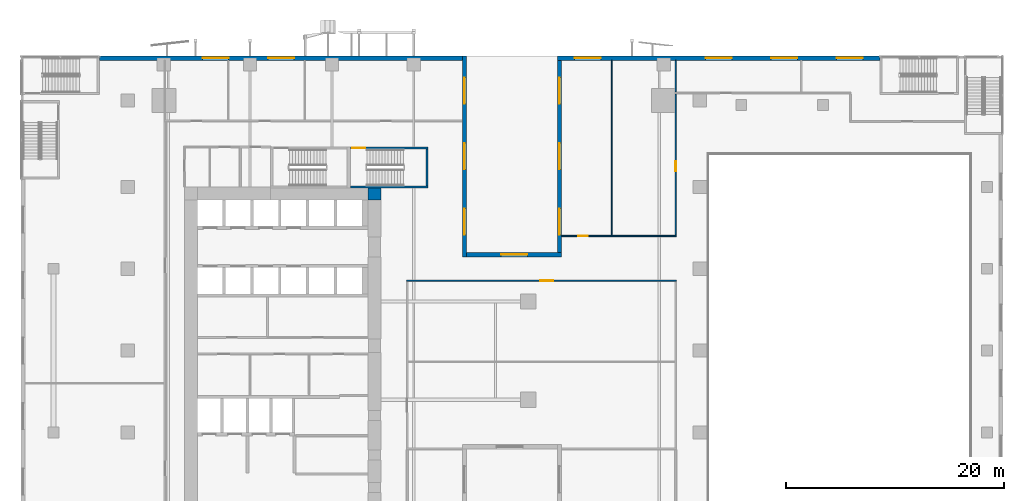
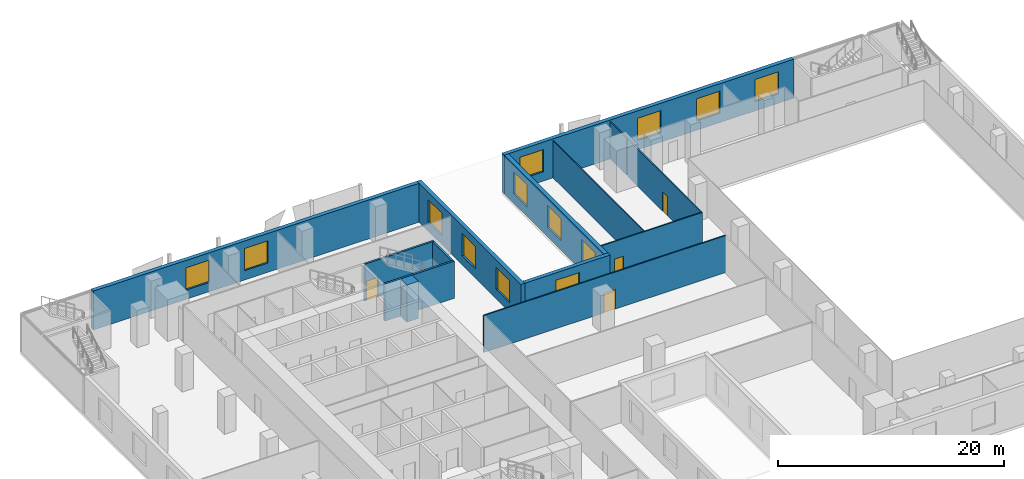
# One storey, part 13 of 21: 14 walls, 13 windows, 4 doors, 17 openings.
"""IFC4 building model written with IfcOpenShell, lengths in metres."""

from ifc_helpers import new_model, si_unit, direction, frame, frame_2d, origin, place, context, subcontext, project, spatial, rectangle, extrude, source, transform, mapped, material, layer, layer_set, type_object, element, fill, save


model = new_model("IFC4")

# Units and contexts
model_context = context("Model", 3, precision=1e-05, world=origin(), true_north=direction((0.0, 1.0)))
body_context = subcontext(model_context, "Body", "Model", "MODEL_VIEW")
ifc_project = project(units=[si_unit("LENGTHUNIT", "METRE"), si_unit("AREAUNIT", "SQUARE_METRE"), si_unit("VOLUMEUNIT", "CUBIC_METRE"), si_unit("PLANEANGLEUNIT", "RADIAN"), si_unit("MASSUNIT", "GRAM", prefix="KILO")], contexts=[model_context])

# Site, building, storey
site_placement = place(None, origin())
site = spatial("IfcSite", under=ifc_project, at=site_placement, CompositionType="ELEMENT")
building_placement = place(site_placement, origin())
building = spatial("IfcBuilding", under=site, at=building_placement, Name="Khomas Fold Tower", CompositionType="ELEMENT")
storey_placement = place(building_placement, frame((0.0, 0.0, 28.5)))
storey = spatial("IfcBuildingStorey", under=building, at=storey_placement, Name="L05", CompositionType="ELEMENT", Elevation=28.5)

# Wall
ifc_material_1 = material(Name="Concrete C70/85", Category="concrete")
ifc_layer_1 = layer(ifc_material_1, 1.10009765625)
ifc_layer_set_1 = layer_set([ifc_layer_1], Name="Concrete C70/85")
wall_type_1 = type_object("IfcWallType", Name="Core corner wall 1100", PredefinedType="SHEAR", material=ifc_layer_set_1)
shared_shape_1 = source(origin(), body_context, "Body", "SweptSolid", [
    extrude(rectangle(XDim=1.199951171875, YDim=1.10009765625, at=frame_2d((0.60009765625, 0.0))), origin(), (0.0, 0.0, 1.0), 4.0),
])
wall_1_placement = place(storey_placement, frame((22.800048828125, 41.35009765625, 0.0), z_axis=(0.0, 0.0, 1.0), x_axis=(1.0, 0.0, 0.0)))
element("IfcWall", 1, at=wall_1_placement, inside=storey, type_object=wall_type_1, Name="Core wall CW-L-NE-B2", PredefinedType="SHEAR", context=body_context, shape_type="MappedRepresentation", body=[
    mapped(shared_shape_1, transform((0.0, 0.0, 0.0))),
])

# Wall, opening, door
ifc_material_2 = material(Name="Concrete C50/60", Category="concrete")
ifc_layer_2 = layer(ifc_material_2, 0.199951171875)
ifc_layer_set_2 = layer_set([ifc_layer_2], Name="Concrete C50/60")
wall_type_2 = type_object("IfcWallType", Name="Stair wall 200", PredefinedType="SHEAR", material=ifc_layer_set_2)
shared_shape_2 = source(origin(), body_context, "Body", "SweptSolid", [
    extrude(rectangle(XDim=7.10009765625, YDim=0.199951171875, at=frame_2d((3.550048828125, 0.0))), origin(), (0.0, 0.0, 1.0), 4.0),
])
wall_2_placement = place(storey_placement, frame((21.199951171875, 45.550048828125, 0.0), z_axis=(0.0, 0.0, 1.0), x_axis=(1.0, 0.0, 0.0)))
wall_2 = element("IfcWall", 2, at=wall_2_placement, inside=storey, type_object=wall_type_2, Name="Stair wall SW-ST3-N", PredefinedType="SHEAR", context=body_context, shape_type="MappedRepresentation", body=[
    mapped(shared_shape_2, transform((0.0, 0.0, 0.0))),
])
shared_shape_3 = source(origin(), body_context, "Body", "SweptSolid", [
    extrude(rectangle(XDim=1.199951171875, YDim=2.10009765625, at=frame_2d((0.60009765625, 1.050048828125))), frame((0.0, 0.10986328125, 0.0), z_axis=(0.0, -1.0, 0.0), x_axis=(1.0, 0.0, 0.0)), (0.0, 0.0, 1.0), 0.219970703125),
])
opening_1_placement = place(wall_2_placement, frame((0.14990234375, 0.0, 0.0)))
opening_1 = element("IfcOpeningElement", 3, at=opening_1_placement, cuts=wall_2, Name="Opening SD-ST3", PredefinedType="OPENING", context=body_context, shape_type="MappedRepresentation", body=[
    mapped(shared_shape_3, transform((0.0, 0.0, 0.0))),
])
ifc_material_3 = material(Name="Steel door leaf", Category="steel")
door_type_1 = type_object("IfcDoorType", Name="Stair door 1200x2100 left-hand", OperationType="SINGLE_SWING_LEFT", PredefinedType="DOOR", material=ifc_material_3)
shared_shape_4 = source(origin(), body_context, "Body", "SweptSolid", [
    extrude(rectangle(XDim=1.199951171875, YDim=2.10009765625, at=frame_2d((0.60009765625, 1.050048828125))), frame((0.0, 0.02490234375, 0.0), z_axis=(0.0, -1.0, 0.0), x_axis=(1.0, 0.0, 0.0)), (0.0, 0.0, 1.0), 0.050048828125),
])
door_1_placement = place(opening_1_placement, origin())
door_1 = element("IfcDoor", 4, at=door_1_placement, inside=storey, type_object=door_type_1, Name="Stair door", OperationType="SINGLE_SWING_LEFT", OverallHeight=2.10009765625, OverallWidth=1.199951171875, PredefinedType="DOOR", context=body_context, shape_type="MappedRepresentation", body=[
    mapped(shared_shape_4, transform((0.0, 0.0, 0.0))),
])
fill(opening_1, door_1)

# Walls
wall_3_placement = place(storey_placement, frame((21.199951171875, 42.0, 0.0), z_axis=(0.0, 0.0, 1.0), x_axis=(1.0, 0.0, 0.0)))
element("IfcWall", 5, at=wall_3_placement, inside=storey, type_object=wall_type_2, Name="Stair wall SW-ST3-S", PredefinedType="SHEAR", context=body_context, shape_type="MappedRepresentation", body=[
    mapped(shared_shape_2, transform((0.0, 0.0, 0.0))),
])
shared_shape_5 = source(origin(), body_context, "Body", "SweptSolid", [
    extrude(rectangle(XDim=3.349853515625, YDim=0.199951171875, at=frame_2d((1.6748046875, 0.0))), origin(), (0.0, 0.0, 1.0), 4.0),
])
wall_4_placement = place(storey_placement, frame((28.199951171875, 42.10009765625, 0.0), z_axis=(0.0, 0.0, 1.0), x_axis=(0.0, 1.0, 0.0)))
element("IfcWall", 6, at=wall_4_placement, inside=storey, type_object=wall_type_2, Name="Stair wall SW-ST3-E", PredefinedType="SHEAR", context=body_context, shape_type="MappedRepresentation", body=[
    mapped(shared_shape_5, transform((0.0, 0.0, 0.0))),
])

# Wall, openings, windows
ifc_material_4 = material(Name="Concrete C40/50", Category="concrete")
ifc_layer_3 = layer(ifc_material_4, 0.39990234375)
ifc_layer_set_3 = layer_set([ifc_layer_3], Name="Concrete C40/50")
wall_type_3 = type_object("IfcWallType", Name="Stone-clad concrete wall 400", PredefinedType="SOLIDWALL", material=ifc_layer_set_3)
shared_shape_6 = source(origin(), body_context, "Body", "SweptSolid", [
    extrude(rectangle(XDim=17.60009765625, YDim=0.39990234375, at=frame_2d((8.800048828125, 0.0))), origin(), (0.0, 0.0, 1.0), 4.199951171875),
])
wall_5_placement = place(storey_placement, frame((40.35009765625, 53.60009765625, 0.0), z_axis=(0.0, 0.0, 1.0), x_axis=(0.0, -1.0, 0.0)))
wall_5 = element("IfcWall", 7, at=wall_5_placement, inside=storey, type_object=wall_type_3, Name="Podium wall", PredefinedType="SOLIDWALL", context=body_context, shape_type="MappedRepresentation", body=[
    mapped(shared_shape_6, transform((0.0, 0.0, 0.0))),
])
shared_shape_7 = source(origin(), body_context, "Body", "SweptSolid", [
    extrude(rectangle(XDim=2.39990234375, YDim=2.39990234375, at=frame_2d((1.199951171875, 1.199951171875))), frame((0.0, 0.2099609375, 0.0), z_axis=(0.0, -1.0, 0.0), x_axis=(1.0, 0.0, 0.0)), (0.0, 0.0, 1.0), 0.419921875),
])
opening_2_placement = place(wall_5_placement, frame((1.60009765625, 0.0, 1.0)))
opening_2 = element("IfcOpeningElement", 8, at=opening_2_placement, cuts=wall_5, Name="Opening PD-WN", PredefinedType="OPENING", context=body_context, shape_type="MappedRepresentation", body=[
    mapped(shared_shape_7, transform((0.0, 0.0, 0.0))),
])
opening_3_placement = place(wall_5_placement, frame((7.60009765625, 0.0, 1.0)))
opening_3 = element("IfcOpeningElement", 9, at=opening_3_placement, cuts=wall_5, Name="Opening PD-WN", PredefinedType="OPENING", context=body_context, shape_type="MappedRepresentation", body=[
    mapped(shared_shape_7, transform((0.0, 0.0, 0.0))),
])
opening_4_placement = place(wall_5_placement, frame((13.60009765625, 0.0, 1.0)))
opening_4 = element("IfcOpeningElement", 10, at=opening_4_placement, cuts=wall_5, Name="Opening PD-WN", PredefinedType="OPENING", context=body_context, shape_type="MappedRepresentation", body=[
    mapped(shared_shape_7, transform((0.0, 0.0, 0.0))),
])
ifc_material_5 = material(Name="Aluminium framed double glazing", Category="aluminium")
window_type = type_object("IfcWindowType", Name="Podium window 2400 x 2400", PartitioningType="SINGLE_PANEL", PredefinedType="WINDOW", material=ifc_material_5)
shared_shape_8 = source(origin(), body_context, "Body", "SweptSolid", [
    extrude(rectangle(XDim=2.39990234375, YDim=2.39990234375, at=frame_2d((1.199951171875, 1.199951171875))), frame((0.0, 0.030029296875, 0.0), z_axis=(0.0, -1.0, 0.0), x_axis=(1.0, 0.0, 0.0)), (0.0, 0.0, 1.0), 0.06005859375),
])
window_1_placement = place(opening_2_placement, origin())
window_1 = element("IfcWindow", 11, at=window_1_placement, inside=storey, type_object=window_type, Name="Podium window", OverallHeight=2.39990234375, OverallWidth=2.39990234375, PartitioningType="SINGLE_PANEL", PredefinedType="WINDOW", context=body_context, shape_type="MappedRepresentation", body=[
    mapped(shared_shape_8, transform((0.0, 0.0, 0.0))),
])
fill(opening_2, window_1)
window_2_placement = place(opening_3_placement, origin())
window_2 = element("IfcWindow", 12, at=window_2_placement, inside=storey, type_object=window_type, Name="Podium window", OverallHeight=2.39990234375, OverallWidth=2.39990234375, PartitioningType="SINGLE_PANEL", PredefinedType="WINDOW", context=body_context, shape_type="MappedRepresentation", body=[
    mapped(shared_shape_8, transform((0.0, 0.0, 0.0))),
])
fill(opening_3, window_2)
window_3_placement = place(opening_4_placement, origin())
window_3 = element("IfcWindow", 13, at=window_3_placement, inside=storey, type_object=window_type, Name="Podium window", OverallHeight=2.39990234375, OverallWidth=2.39990234375, PartitioningType="SINGLE_PANEL", PredefinedType="WINDOW", context=body_context, shape_type="MappedRepresentation", body=[
    mapped(shared_shape_8, transform((0.0, 0.0, 0.0))),
])
fill(opening_4, window_3)

# Wall, opening, window
shared_shape_9 = source(origin(), body_context, "Body", "SweptSolid", [
    extrude(rectangle(XDim=8.699951171875, YDim=0.39990234375, at=frame_2d((4.35009765625, 0.0))), origin(), (0.0, 0.0, 1.0), 4.199951171875),
])
wall_6_placement = place(storey_placement, frame((40.550048828125, 35.800048828125, 0.0), z_axis=(0.0, 0.0, 1.0), x_axis=(-1.0, 0.0, 0.0)))
wall_6 = element("IfcWall", 14, at=wall_6_placement, inside=storey, type_object=wall_type_3, Name="Podium wall", PredefinedType="SOLIDWALL", context=body_context, shape_type="MappedRepresentation", body=[
    mapped(shared_shape_9, transform((0.0, 0.0, 0.0))),
])
opening_5_placement = place(wall_6_placement, frame((3.14990234375, 0.0, 1.0)))
opening_5 = element("IfcOpeningElement", 15, at=opening_5_placement, cuts=wall_6, Name="Opening PD-WN", PredefinedType="OPENING", context=body_context, shape_type="MappedRepresentation", body=[
    mapped(shared_shape_7, transform((0.0, 0.0, 0.0))),
])
window_4_placement = place(opening_5_placement, origin())
window_4 = element("IfcWindow", 16, at=window_4_placement, inside=storey, type_object=window_type, Name="Podium window", OverallHeight=2.39990234375, OverallWidth=2.39990234375, PartitioningType="SINGLE_PANEL", PredefinedType="WINDOW", context=body_context, shape_type="MappedRepresentation", body=[
    mapped(shared_shape_8, transform((0.0, 0.0, 0.0))),
])
fill(opening_5, window_4)

# Wall, openings, windows
shared_shape_10 = source(origin(), body_context, "Body", "SweptSolid", [
    extrude(rectangle(XDim=18.39990234375, YDim=0.39990234375, at=frame_2d((9.199951171875, 0.0))), origin(), (0.0, 0.0, 1.0), 4.199951171875),
])
wall_7_placement = place(storey_placement, frame((31.64990234375, 35.60009765625, 0.0), z_axis=(0.0, 0.0, 1.0), x_axis=(0.0, 1.0, 0.0)))
wall_7 = element("IfcWall", 17, at=wall_7_placement, inside=storey, type_object=wall_type_3, Name="Podium wall", PredefinedType="SOLIDWALL", context=body_context, shape_type="MappedRepresentation", body=[
    mapped(shared_shape_10, transform((0.0, 0.0, 0.0))),
])
opening_6_placement = place(wall_7_placement, frame((2.0, 0.0, 1.0)))
opening_6 = element("IfcOpeningElement", 18, at=opening_6_placement, cuts=wall_7, Name="Opening PD-WN", PredefinedType="OPENING", context=body_context, shape_type="MappedRepresentation", body=[
    mapped(shared_shape_7, transform((0.0, 0.0, 0.0))),
])
opening_7_placement = place(wall_7_placement, frame((8.0, 0.0, 1.0)))
opening_7 = element("IfcOpeningElement", 19, at=opening_7_placement, cuts=wall_7, Name="Opening PD-WN", PredefinedType="OPENING", context=body_context, shape_type="MappedRepresentation", body=[
    mapped(shared_shape_7, transform((0.0, 0.0, 0.0))),
])
opening_8_placement = place(wall_7_placement, frame((14.0, 0.0, 1.0)))
opening_8 = element("IfcOpeningElement", 20, at=opening_8_placement, cuts=wall_7, Name="Opening PD-WN", PredefinedType="OPENING", context=body_context, shape_type="MappedRepresentation", body=[
    mapped(shared_shape_7, transform((0.0, 0.0, 0.0))),
])
window_5_placement = place(opening_6_placement, origin())
window_5 = element("IfcWindow", 21, at=window_5_placement, inside=storey, type_object=window_type, Name="Podium window", OverallHeight=2.39990234375, OverallWidth=2.39990234375, PartitioningType="SINGLE_PANEL", PredefinedType="WINDOW", context=body_context, shape_type="MappedRepresentation", body=[
    mapped(shared_shape_8, transform((0.0, 0.0, 0.0))),
])
fill(opening_6, window_5)
window_6_placement = place(opening_7_placement, origin())
window_6 = element("IfcWindow", 22, at=window_6_placement, inside=storey, type_object=window_type, Name="Podium window", OverallHeight=2.39990234375, OverallWidth=2.39990234375, PartitioningType="SINGLE_PANEL", PredefinedType="WINDOW", context=body_context, shape_type="MappedRepresentation", body=[
    mapped(shared_shape_8, transform((0.0, 0.0, 0.0))),
])
fill(opening_7, window_6)
window_7_placement = place(opening_8_placement, origin())
window_7 = element("IfcWindow", 23, at=window_7_placement, inside=storey, type_object=window_type, Name="Podium window", OverallHeight=2.39990234375, OverallWidth=2.39990234375, PartitioningType="SINGLE_PANEL", PredefinedType="WINDOW", context=body_context, shape_type="MappedRepresentation", body=[
    mapped(shared_shape_8, transform((0.0, 0.0, 0.0))),
])
fill(opening_8, window_7)

shared_shape_11 = source(origin(), body_context, "Body", "SweptSolid", [
    extrude(rectangle(XDim=29.5400390625, YDim=0.39990234375, at=frame_2d((14.77001953125, 0.0))), origin(), (0.0, 0.0, 1.0), 4.199951171875),
])
wall_8_placement = place(storey_placement, frame((69.68994140625, 53.800048828125, 0.0), z_axis=(0.0, 0.0, 1.0), x_axis=(-1.0, 0.0, 0.0)))
wall_8 = element("IfcWall", 24, at=wall_8_placement, inside=storey, type_object=wall_type_3, Name="Podium wall", PredefinedType="SOLIDWALL", context=body_context, shape_type="MappedRepresentation", body=[
    mapped(shared_shape_11, transform((0.0, 0.0, 0.0))),
])
opening_9_placement = place(wall_8_placement, frame((1.550048828125, 0.0, 1.0)))
opening_9 = element("IfcOpeningElement", 25, at=opening_9_placement, cuts=wall_8, Name="Opening PD-WN", PredefinedType="OPENING", context=body_context, shape_type="MappedRepresentation", body=[
    mapped(shared_shape_7, transform((0.0, 0.0, 0.0))),
])
opening_10_placement = place(wall_8_placement, frame((7.550048828125, 0.0, 1.0)))
opening_10 = element("IfcOpeningElement", 26, at=opening_10_placement, cuts=wall_8, Name="Opening PD-WN", PredefinedType="OPENING", context=body_context, shape_type="MappedRepresentation", body=[
    mapped(shared_shape_7, transform((0.0, 0.0, 0.0))),
])
opening_11_placement = place(wall_8_placement, frame((13.550048828125, 0.0, 1.0)))
opening_11 = element("IfcOpeningElement", 27, at=opening_11_placement, cuts=wall_8, Name="Opening PD-WN", PredefinedType="OPENING", context=body_context, shape_type="MappedRepresentation", body=[
    mapped(shared_shape_7, transform((0.0, 0.0, 0.0))),
])
opening_12_placement = place(wall_8_placement, frame((25.550048828125, 0.0, 1.0)))
opening_12 = element("IfcOpeningElement", 28, at=opening_12_placement, cuts=wall_8, Name="Opening PD-WN", PredefinedType="OPENING", context=body_context, shape_type="MappedRepresentation", body=[
    mapped(shared_shape_7, transform((0.0, 0.0, 0.0))),
])
window_8_placement = place(opening_9_placement, origin())
window_8 = element("IfcWindow", 29, at=window_8_placement, inside=storey, type_object=window_type, Name="Podium window", OverallHeight=2.39990234375, OverallWidth=2.39990234375, PartitioningType="SINGLE_PANEL", PredefinedType="WINDOW", context=body_context, shape_type="MappedRepresentation", body=[
    mapped(shared_shape_8, transform((0.0, 0.0, 0.0))),
])
fill(opening_9, window_8)
window_9_placement = place(opening_10_placement, origin())
window_9 = element("IfcWindow", 30, at=window_9_placement, inside=storey, type_object=window_type, Name="Podium window", OverallHeight=2.39990234375, OverallWidth=2.39990234375, PartitioningType="SINGLE_PANEL", PredefinedType="WINDOW", context=body_context, shape_type="MappedRepresentation", body=[
    mapped(shared_shape_8, transform((0.0, 0.0, 0.0))),
])
fill(opening_10, window_9)
window_10_placement = place(opening_11_placement, origin())
window_10 = element("IfcWindow", 31, at=window_10_placement, inside=storey, type_object=window_type, Name="Podium window", OverallHeight=2.39990234375, OverallWidth=2.39990234375, PartitioningType="SINGLE_PANEL", PredefinedType="WINDOW", context=body_context, shape_type="MappedRepresentation", body=[
    mapped(shared_shape_8, transform((0.0, 0.0, 0.0))),
])
fill(opening_11, window_10)
window_11_placement = place(opening_12_placement, origin())
window_11 = element("IfcWindow", 32, at=window_11_placement, inside=storey, type_object=window_type, Name="Podium window", OverallHeight=2.39990234375, OverallWidth=2.39990234375, PartitioningType="SINGLE_PANEL", PredefinedType="WINDOW", context=body_context, shape_type="MappedRepresentation", body=[
    mapped(shared_shape_8, transform((0.0, 0.0, 0.0))),
])
fill(opening_12, window_11)

shared_shape_12 = source(origin(), body_context, "Body", "SweptSolid", [
    extrude(rectangle(XDim=33.239990234375, YDim=0.39990234375, at=frame_2d((16.6201171875, 0.0))), origin(), (0.0, 0.0, 1.0), 4.199951171875),
])
wall_9_placement = place(storey_placement, frame((31.449951171875, 53.800048828125, 0.0), z_axis=(0.0, 0.0, 1.0), x_axis=(-1.0, 0.0, 0.0)))
wall_9 = element("IfcWall", 33, at=wall_9_placement, inside=storey, type_object=wall_type_3, Name="Podium wall", PredefinedType="SOLIDWALL", context=body_context, shape_type="MappedRepresentation", body=[
    mapped(shared_shape_12, transform((0.0, 0.0, 0.0))),
])
opening_13_placement = place(wall_9_placement, frame((15.39990234375, 0.0, 1.0)))
opening_13 = element("IfcOpeningElement", 34, at=opening_13_placement, cuts=wall_9, Name="Opening PD-WN", PredefinedType="OPENING", context=body_context, shape_type="MappedRepresentation", body=[
    mapped(shared_shape_7, transform((0.0, 0.0, 0.0))),
])
opening_14_placement = place(wall_9_placement, frame((21.39990234375, 0.0, 1.0)))
opening_14 = element("IfcOpeningElement", 35, at=opening_14_placement, cuts=wall_9, Name="Opening PD-WN", PredefinedType="OPENING", context=body_context, shape_type="MappedRepresentation", body=[
    mapped(shared_shape_7, transform((0.0, 0.0, 0.0))),
])
window_12_placement = place(opening_13_placement, origin())
window_12 = element("IfcWindow", 36, at=window_12_placement, inside=storey, type_object=window_type, Name="Podium window", OverallHeight=2.39990234375, OverallWidth=2.39990234375, PartitioningType="SINGLE_PANEL", PredefinedType="WINDOW", context=body_context, shape_type="MappedRepresentation", body=[
    mapped(shared_shape_8, transform((0.0, 0.0, 0.0))),
])
fill(opening_13, window_12)
window_13_placement = place(opening_14_placement, origin())
window_13 = element("IfcWindow", 37, at=window_13_placement, inside=storey, type_object=window_type, Name="Podium window", OverallHeight=2.39990234375, OverallWidth=2.39990234375, PartitioningType="SINGLE_PANEL", PredefinedType="WINDOW", context=body_context, shape_type="MappedRepresentation", body=[
    mapped(shared_shape_8, transform((0.0, 0.0, 0.0))),
])
fill(opening_14, window_13)

# Wall, opening, door
ifc_material_6 = material(Name="Plasterboard partition")
ifc_layer_4 = layer(ifc_material_6, 0.125)
ifc_layer_set_4 = layer_set([ifc_layer_4], Name="Plasterboard partition")
wall_type_4 = type_object("IfcWallType", Name="Partition PW2 125", PredefinedType="PARTITIONING", material=ifc_layer_set_4)
shared_shape_13 = source(origin(), body_context, "Body", "SweptSolid", [
    extrude(rectangle(XDim=10.5, YDim=0.125, at=frame_2d((5.25, 0.0))), origin(), (0.0, 0.0, 1.0), 4.0),
])
wall_10_placement = place(storey_placement, frame((40.550048828125, 37.5, 0.0), z_axis=(0.0, 0.0, 1.0), x_axis=(1.0, 0.0, 0.0)))
wall_10 = element("IfcWall", 38, at=wall_10_placement, inside=storey, type_object=wall_type_4, Name="Partition", PredefinedType="PARTITIONING", context=body_context, shape_type="MappedRepresentation", body=[
    mapped(shared_shape_13, transform((0.0, 0.0, 0.0))),
])
shared_shape_14 = source(origin(), body_context, "Body", "SweptSolid", [
    extrude(rectangle(XDim=0.89990234375, YDim=2.10009765625, at=frame_2d((0.449951171875, 1.050048828125))), frame((0.0, 0.072509765625, 0.0), z_axis=(0.0, -1.0, 0.0), x_axis=(1.0, 0.0, 0.0)), (0.0, 0.0, 1.0), 0.14501953125),
])
opening_15_placement = place(wall_10_placement, frame((1.5, 0.0, 0.0)))
opening_15 = element("IfcOpeningElement", 39, at=opening_15_placement, cuts=wall_10, Name="Opening 0008", PredefinedType="OPENING", context=body_context, shape_type="MappedRepresentation", body=[
    mapped(shared_shape_14, transform((0.0, 0.0, 0.0))),
])
ifc_material_7 = material(Name="Timber door leaf", Category="wood")
door_type_2 = type_object("IfcDoorType", Name="Door 900x2100 right-hand", OperationType="SINGLE_SWING_RIGHT", PredefinedType="DOOR", material=ifc_material_7)
shared_shape_15 = source(origin(), body_context, "Body", "SweptSolid", [
    extrude(rectangle(XDim=0.89990234375, YDim=2.10009765625, at=frame_2d((0.449951171875, 1.050048828125))), frame((0.0, 0.02490234375, 0.0), z_axis=(0.0, -1.0, 0.0), x_axis=(1.0, 0.0, 0.0)), (0.0, 0.0, 1.0), 0.050048828125),
])
door_2_placement = place(opening_15_placement, origin())
door_2 = element("IfcDoor", 40, at=door_2_placement, inside=storey, type_object=door_type_2, Name="Door", OperationType="SINGLE_SWING_RIGHT", OverallHeight=2.10009765625, OverallWidth=0.89990234375, PredefinedType="DOOR", context=body_context, shape_type="MappedRepresentation", body=[
    mapped(shared_shape_15, transform((0.0, 0.0, 0.0))),
])
fill(opening_15, door_2)

shared_shape_16 = source(origin(), body_context, "Body", "SweptSolid", [
    extrude(rectangle(XDim=24.699951171875, YDim=0.125, at=frame_2d((12.35009765625, 0.0))), origin(), (0.0, 0.0, 1.0), 4.0),
])
wall_11_placement = place(storey_placement, frame((26.35009765625, 33.39990234375, 0.0), z_axis=(0.0, 0.0, 1.0), x_axis=(1.0, 0.0, 0.0)))
wall_11 = element("IfcWall", 41, at=wall_11_placement, inside=storey, type_object=wall_type_4, Name="Partition", PredefinedType="PARTITIONING", context=body_context, shape_type="MappedRepresentation", body=[
    mapped(shared_shape_16, transform((0.0, 0.0, 0.0))),
])
shared_shape_17 = source(origin(), body_context, "Body", "SweptSolid", [
    extrude(rectangle(XDim=1.199951171875, YDim=2.10009765625, at=frame_2d((0.60009765625, 1.050048828125))), frame((0.0, 0.072509765625, 0.0), z_axis=(0.0, -1.0, 0.0), x_axis=(1.0, 0.0, 0.0)), (0.0, 0.0, 1.0), 0.14501953125),
])
opening_16_placement = place(wall_11_placement, frame((12.25, 0.0, 0.0)))
opening_16 = element("IfcOpeningElement", 42, at=opening_16_placement, cuts=wall_11, Name="Opening 0001", PredefinedType="OPENING", context=body_context, shape_type="MappedRepresentation", body=[
    mapped(shared_shape_17, transform((0.0, 0.0, 0.0))),
])
ifc_material_8 = material(Name="Timber door leaf", Category="wood")
door_type_3 = type_object("IfcDoorType", Name="Door 1200x2100 right-hand", OperationType="SINGLE_SWING_RIGHT", PredefinedType="DOOR", material=ifc_material_8)
door_3_placement = place(opening_16_placement, origin())
door_3 = element("IfcDoor", 43, at=door_3_placement, inside=storey, type_object=door_type_3, Name="Door", OperationType="SINGLE_SWING_RIGHT", OverallHeight=2.10009765625, OverallWidth=1.199951171875, PredefinedType="DOOR", context=body_context, shape_type="MappedRepresentation", body=[
    mapped(shared_shape_4, transform((0.0, 0.0, 0.0))),
])
fill(opening_16, door_3)

# Wall
ifc_material_9 = material(Name="Plasterboard partition")
ifc_layer_5 = layer(ifc_material_9, 0.10009765625)
ifc_layer_set_5 = layer_set([ifc_layer_5], Name="Plasterboard partition")
wall_type_5 = type_object("IfcWallType", Name="Partition PW1 100", PredefinedType="PARTITIONING", material=ifc_layer_set_5)
shared_shape_18 = source(origin(), body_context, "Body", "SweptSolid", [
    extrude(rectangle(XDim=16.0, YDim=0.10009765625, at=frame_2d((8.0, 0.0))), origin(), (0.0, 0.0, 1.0), 4.0),
])
wall_12_placement = place(storey_placement, frame((45.14990234375, 37.60009765625, 0.0), z_axis=(0.0, 0.0, 1.0), x_axis=(0.0, 1.0, 0.0)))
element("IfcWall", 44, at=wall_12_placement, inside=storey, type_object=wall_type_5, Name="Partition", PredefinedType="PARTITIONING", context=body_context, shape_type="MappedRepresentation", body=[
    mapped(shared_shape_18, transform((0.0, 0.0, 0.0))),
])

# Wall, opening, door
shared_shape_19 = source(origin(), body_context, "Body", "SweptSolid", [
    extrude(rectangle(XDim=12.89990234375, YDim=0.125, at=frame_2d((6.449951171875, 0.0))), origin(), (0.0, 0.0, 1.0), 4.0),
])
wall_13_placement = place(storey_placement, frame((51.0, 37.60009765625, 0.0), z_axis=(0.0, 0.0, 1.0), x_axis=(0.0, 1.0, 0.0)))
wall_13 = element("IfcWall", 45, at=wall_13_placement, inside=storey, type_object=wall_type_4, Name="Partition", PredefinedType="PARTITIONING", context=body_context, shape_type="MappedRepresentation", body=[
    mapped(shared_shape_19, transform((0.0, 0.0, 0.0))),
])
opening_17_placement = place(wall_13_placement, frame((5.85009765625, 0.0, 0.0)))
opening_17 = element("IfcOpeningElement", 46, at=opening_17_placement, cuts=wall_13, Name="Opening 0008", PredefinedType="OPENING", context=body_context, shape_type="MappedRepresentation", body=[
    mapped(shared_shape_14, transform((0.0, 0.0, 0.0))),
])
door_4_placement = place(opening_17_placement, origin())
door_4 = element("IfcDoor", 47, at=door_4_placement, inside=storey, type_object=door_type_2, Name="Door", OperationType="SINGLE_SWING_RIGHT", OverallHeight=2.10009765625, OverallWidth=0.89990234375, PredefinedType="DOOR", context=body_context, shape_type="MappedRepresentation", body=[
    mapped(shared_shape_15, transform((0.0, 0.0, 0.0))),
])
fill(opening_17, door_4)

# Wall
shared_shape_20 = source(origin(), body_context, "Body", "SweptSolid", [
    extrude(rectangle(XDim=2.900146484375, YDim=0.10009765625, at=frame_2d((1.4501953125, 0.0))), origin(), (0.0, 0.0, 1.0), 4.0),
])
wall_14_placement = place(storey_placement, frame((51.0, 50.699951171875, 0.0), z_axis=(0.0, 0.0, 1.0), x_axis=(0.0, 1.0, 0.0)))
element("IfcWall", 48, at=wall_14_placement, inside=storey, type_object=wall_type_5, Name="Partition", PredefinedType="PARTITIONING", context=body_context, shape_type="MappedRepresentation", body=[
    mapped(shared_shape_20, transform((0.0, 0.0, 0.0))),
])

save(model, "model.ifc")
